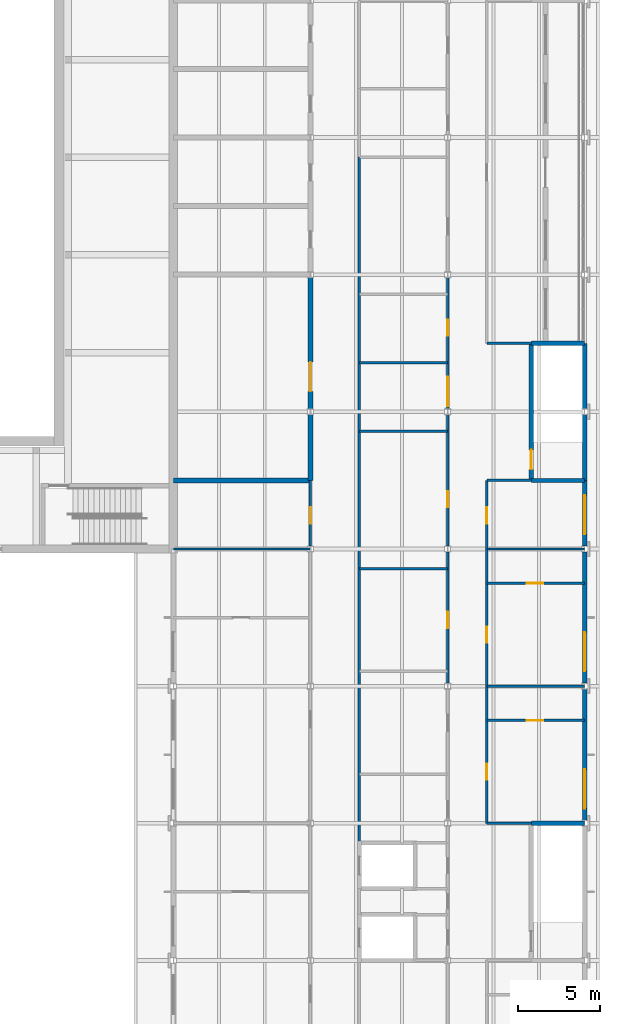
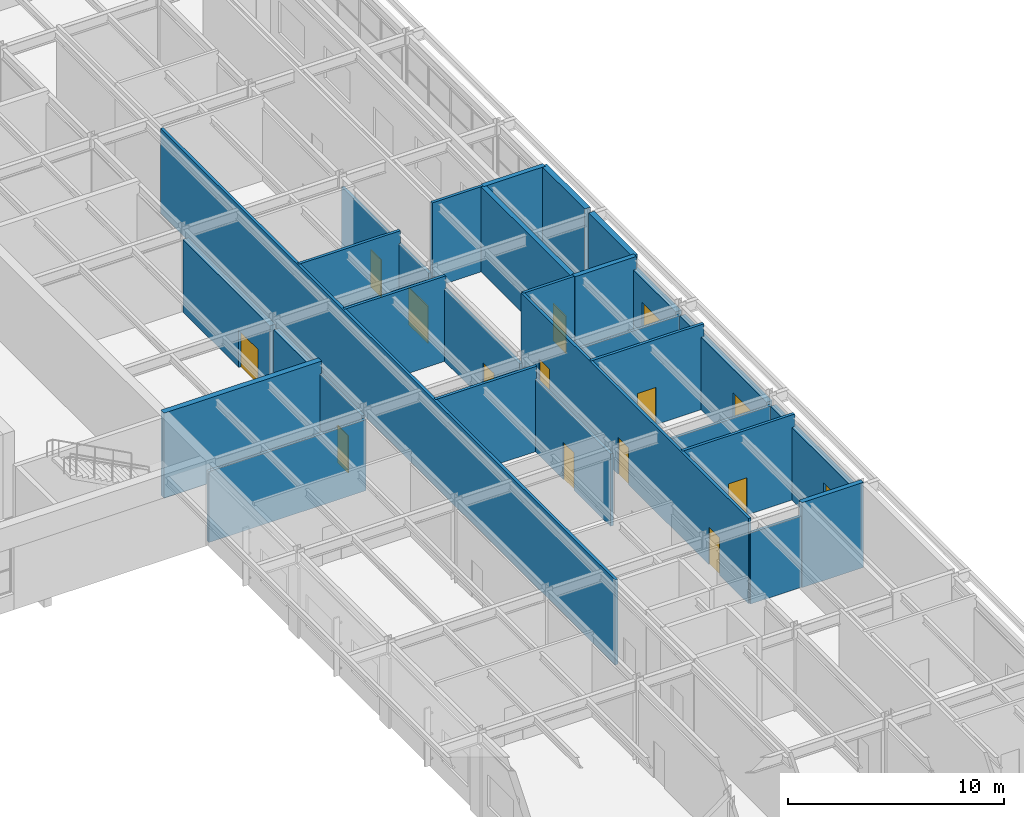
# One storey, part 74 of 116: 29 walls, 12 doors, 3 windows, 15 openings.
"""IFC4 building model written with IfcOpenShell, lengths in metres."""

from ifc_helpers import new_model, si_unit, direction, frame, frame_2d, origin, place, context, subcontext, project, spatial, rectangle, extrude, material, layer, layer_set, type_object, element, fill, save


model = new_model("IFC4")

# Units and contexts
model_context = context("Model", 3, precision=1e-05, world=origin(), true_north=direction((0.0, 1.0)))
body_context = subcontext(model_context, "Body", "Model", "MODEL_VIEW")
ifc_project = project(units=[si_unit("LENGTHUNIT", "METRE"), si_unit("AREAUNIT", "SQUARE_METRE"), si_unit("VOLUMEUNIT", "CUBIC_METRE"), si_unit("PLANEANGLEUNIT", "RADIAN"), si_unit("MASSUNIT", "GRAM", prefix="KILO")], contexts=[model_context])

# Site, building, storey
site_placement = place(None, origin())
site = spatial("IfcSite", under=ifc_project, at=site_placement, CompositionType="ELEMENT")
building_placement = place(site_placement, origin())
building = spatial("IfcBuilding", under=site, at=building_placement, Name="Ljudholm Concert House", CompositionType="ELEMENT")
storey_placement = place(building_placement, frame((0.0, 0.0, 10.199951171875)))
storey = spatial("IfcBuildingStorey", under=building, at=storey_placement, Name="L02", CompositionType="ELEMENT", Elevation=10.199951171875)

# Wall
ifc_material_1 = material(Name="Double gypsum board on staggered studs")
ifc_layer_1 = layer(ifc_material_1, 0.300048828125)
ifc_layer_set_1 = layer_set([ifc_layer_1], Name="Double gypsum board on staggered studs")
wall_type_1 = type_object("IfcWallType", Name="ACOUSTIC PARTITION 300", PredefinedType="PARTITIONING", material=ifc_layer_set_1)
wall_1_placement = place(storey_placement, frame((104.800048828125, 58.60009765625, 0.0), z_axis=(0.0, 0.0, 1.0), x_axis=(0.0, 1.0, 0.0)))
element("IfcWall", 1, at=wall_1_placement, inside=storey, type_object=wall_type_1, Name="Acoustic partition", PredefinedType="PARTITIONING", context=body_context, shape_type="SweptSolid", body=[
    extrude(rectangle(XDim=4.022216796875, YDim=0.300048828125, at=frame_2d((2.01123046875, 0.0))), origin(), (0.0, 0.0, 1.0), 4.086669921875),
])

# Wall, opening, door
wall_2_placement = place(storey_placement, frame((104.800048828125, 62.977783203125, 0.0), z_axis=(0.0, 0.0, 1.0), x_axis=(0.0, 1.0, 0.0)))
wall_2 = element("IfcWall", 2, at=wall_2_placement, inside=storey, type_object=wall_type_1, Name="Acoustic partition", PredefinedType="PARTITIONING", context=body_context, shape_type="SweptSolid", body=[
    extrude(rectangle(XDim=8.04443359375, YDim=0.300048828125, at=frame_2d((4.022216796875, 0.0))), origin(), (0.0, 0.0, 1.0), 4.086669921875),
])
opening_1_placement = place(wall_2_placement, frame((1.072265625, 0.0, 0.0)))
opening_1 = element("IfcOpeningElement", 3, at=opening_1_placement, cuts=wall_2, Name="Opening D-W02-016", PredefinedType="OPENING", context=body_context, shape_type="SweptSolid", body=[
    extrude(rectangle(XDim=1.800048828125, YDim=2.10009765625, at=frame_2d((0.89990234375, 1.050048828125))), frame((0.0, 0.159912109375, 0.0), z_axis=(0.0, -1.0, 0.0), x_axis=(1.0, 0.0, 0.0)), (0.0, 0.0, 1.0), 0.320068359375),
])
ifc_material_2 = material(Name="Hollow metal door in steel frame", Category="steel")
door_type_1 = type_object("IfcDoorType", Name="DOUBLE DOOR 1800x2100", OperationType="DOUBLE_DOOR_SINGLE_SWING", PredefinedType="DOOR", material=ifc_material_2)
door_1_placement = place(opening_1_placement, origin())
door_1 = element("IfcDoor", 4, at=door_1_placement, inside=storey, type_object=door_type_1, Name="Door", OperationType="DOUBLE_DOOR_SINGLE_SWING", OverallHeight=2.10009765625, OverallWidth=1.800048828125, PredefinedType="DOOR", context=body_context, shape_type="SweptSolid", body=[
    extrude(rectangle(XDim=1.800048828125, YDim=2.10009765625, at=frame_2d((0.89990234375, 1.050048828125))), frame((0.0, 0.02490234375, 0.0), z_axis=(0.0, -1.0, 0.0), x_axis=(1.0, 0.0, 0.0)), (0.0, 0.0, 1.0), 0.050048828125),
])
fill(opening_1, door_1)

# Wall
wall_3_placement = place(storey_placement, frame((96.39990234375, 58.60009765625, 0.0), z_axis=(0.0, 0.0, 1.0), x_axis=(1.0, 0.0, 0.0)))
element("IfcWall", 5, at=wall_3_placement, inside=storey, type_object=wall_type_1, Name="Acoustic partition", PredefinedType="PARTITIONING", context=body_context, shape_type="SweptSolid", body=[
    extrude(rectangle(XDim=8.400146484375, YDim=0.300048828125, at=frame_2d((4.2001953125, 0.0))), origin(), (0.0, 0.0, 1.0), 4.800048828125),
])

# Wall, opening, door
ifc_material_3 = material(Name="Gypsum board on steel studs", Category="steel")
ifc_layer_2 = layer(ifc_material_3, 0.14990234375)
ifc_layer_set_2 = layer_set([ifc_layer_2], Name="Gypsum board on steel studs")
wall_type_2 = type_object("IfcWallType", Name="GYPSUM PARTITION 150", PredefinedType="PARTITIONING", material=ifc_layer_set_2)
wall_4_placement = place(storey_placement, frame((104.800048828125, 54.577880859375, 0.0), z_axis=(0.0, 0.0, 1.0), x_axis=(0.0, 1.0, 0.0)))
wall_4 = element("IfcWall", 6, at=wall_4_placement, inside=storey, type_object=wall_type_2, Name="Partition", PredefinedType="PARTITIONING", context=body_context, shape_type="SweptSolid", body=[
    extrude(rectangle(XDim=4.022216796875, YDim=0.14990234375, at=frame_2d((2.01123046875, 0.0))), origin(), (0.0, 0.0, 1.0), 4.086669921875),
])
opening_2_placement = place(wall_4_placement, frame((1.372314453125, 0.0, 0.0)))
opening_2 = element("IfcOpeningElement", 7, at=opening_2_placement, cuts=wall_4, Name="Opening D-W02-015", PredefinedType="OPENING", context=body_context, shape_type="SweptSolid", body=[
    extrude(rectangle(XDim=1.0, YDim=2.10009765625, at=frame_2d((0.5, 1.050048828125))), frame((0.0, 0.0849609375, 0.0), z_axis=(0.0, -1.0, 0.0), x_axis=(1.0, 0.0, 0.0)), (0.0, 0.0, 1.0), 0.169921875),
])
ifc_material_4 = material(Name="Hollow metal door in steel frame", Category="steel")
door_type_2 = type_object("IfcDoorType", Name="SWING DOOR 1000x2100", OperationType="SINGLE_SWING_LEFT", PredefinedType="DOOR", material=ifc_material_4)
door_2_placement = place(opening_2_placement, origin())
door_2 = element("IfcDoor", 8, at=door_2_placement, inside=storey, type_object=door_type_2, Name="Door", OperationType="SINGLE_SWING_LEFT", OverallHeight=2.10009765625, OverallWidth=1.0, PredefinedType="DOOR", context=body_context, shape_type="SweptSolid", body=[
    extrude(rectangle(XDim=1.0, YDim=2.10009765625, at=frame_2d((0.5, 1.050048828125))), frame((0.0, 0.02490234375, 0.0), z_axis=(0.0, -1.0, 0.0), x_axis=(1.0, 0.0, 0.0)), (0.0, 0.0, 1.0), 0.050048828125),
])
fill(opening_2, door_2)

# Wall
wall_5_placement = place(storey_placement, frame((107.800048828125, 36.39990234375, 0.0), z_axis=(0.0, 0.0, 1.0), x_axis=(0.0, 1.0, 0.0)))
element("IfcWall", 9, at=wall_5_placement, inside=storey, type_object=wall_type_2, Name="Partition", PredefinedType="PARTITIONING", context=body_context, shape_type="SweptSolid", body=[
    extrude(rectangle(XDim=42.0, YDim=0.14990234375, at=frame_2d((21.0, 0.0))), origin(), (0.0, 0.0, 1.0), 4.800048828125),
])

# Wall, opening, door
wall_6_placement = place(storey_placement, frame((113.199951171875, 46.177734375, 0.0), z_axis=(0.0, 0.0, 1.0), x_axis=(0.0, 1.0, 0.0)))
wall_6 = element("IfcWall", 10, at=wall_6_placement, inside=storey, type_object=wall_type_2, Name="Partition", PredefinedType="PARTITIONING", context=body_context, shape_type="SweptSolid", body=[
    extrude(rectangle(XDim=8.04443359375, YDim=0.14990234375, at=frame_2d((4.022216796875, 0.0))), origin(), (0.0, 0.0, 1.0), 4.086669921875),
])
opening_3_placement = place(wall_6_placement, frame((3.372314453125, 0.0, 0.0)))
opening_3 = element("IfcOpeningElement", 11, at=opening_3_placement, cuts=wall_6, Name="Opening D-W02-027", PredefinedType="OPENING", context=body_context, shape_type="SweptSolid", body=[
    extrude(rectangle(XDim=1.0, YDim=2.10009765625, at=frame_2d((0.5, 1.050048828125))), frame((0.0, 0.0849609375, 0.0), z_axis=(0.0, -1.0, 0.0), x_axis=(1.0, 0.0, 0.0)), (0.0, 0.0, 1.0), 0.169921875),
])
door_3_placement = place(opening_3_placement, origin())
door_3 = element("IfcDoor", 12, at=door_3_placement, inside=storey, type_object=door_type_2, Name="Door", OperationType="SINGLE_SWING_RIGHT", OverallHeight=2.10009765625, OverallWidth=1.0, PredefinedType="DOOR", context=body_context, shape_type="SweptSolid", body=[
    extrude(rectangle(XDim=1.0, YDim=2.10009765625, at=frame_2d((0.5, 1.050048828125))), frame((0.0, 0.02490234375, 0.0), z_axis=(0.0, -1.0, 0.0), x_axis=(1.0, 0.0, 0.0)), (0.0, 0.0, 1.0), 0.050048828125),
])
fill(opening_3, door_3)

wall_7_placement = place(storey_placement, frame((113.199951171875, 54.577880859375, 0.0), z_axis=(0.0, 0.0, 1.0), x_axis=(0.0, 1.0, 0.0)))
wall_7 = element("IfcWall", 13, at=wall_7_placement, inside=storey, type_object=wall_type_2, Name="Partition", PredefinedType="PARTITIONING", context=body_context, shape_type="SweptSolid", body=[
    extrude(rectangle(XDim=8.04443359375, YDim=0.14990234375, at=frame_2d((4.022216796875, 0.0))), origin(), (0.0, 0.0, 1.0), 4.086669921875),
])
opening_4_placement = place(wall_7_placement, frame((2.372314453125, 0.0, 0.0)))
opening_4 = element("IfcOpeningElement", 14, at=opening_4_placement, cuts=wall_7, Name="Opening D-W02-028", PredefinedType="OPENING", context=body_context, shape_type="SweptSolid", body=[
    extrude(rectangle(XDim=1.0, YDim=2.10009765625, at=frame_2d((0.5, 1.050048828125))), frame((0.0, 0.0849609375, 0.0), z_axis=(0.0, -1.0, 0.0), x_axis=(1.0, 0.0, 0.0)), (0.0, 0.0, 1.0), 0.169921875),
])
door_4_placement = place(opening_4_placement, origin())
door_4 = element("IfcDoor", 15, at=door_4_placement, inside=storey, type_object=door_type_2, Name="Door", OperationType="SINGLE_SWING_RIGHT", OverallHeight=2.10009765625, OverallWidth=1.0, PredefinedType="DOOR", context=body_context, shape_type="SweptSolid", body=[
    extrude(rectangle(XDim=1.0, YDim=2.10009765625, at=frame_2d((0.5, 1.050048828125))), frame((0.0, 0.02490234375, 0.0), z_axis=(0.0, -1.0, 0.0), x_axis=(1.0, 0.0, 0.0)), (0.0, 0.0, 1.0), 0.050048828125),
])
fill(opening_4, door_4)

# Wall, openings, doors
wall_8_placement = place(storey_placement, frame((113.199951171875, 62.977783203125, 0.0), z_axis=(0.0, 0.0, 1.0), x_axis=(0.0, 1.0, 0.0)))
wall_8 = element("IfcWall", 16, at=wall_8_placement, inside=storey, type_object=wall_type_2, Name="Partition", PredefinedType="PARTITIONING", context=body_context, shape_type="SweptSolid", body=[
    extrude(rectangle(XDim=8.04443359375, YDim=0.14990234375, at=frame_2d((4.022216796875, 0.0))), origin(), (0.0, 0.0, 1.0), 4.086669921875),
])
opening_5_placement = place(wall_8_placement, frame((0.172119140625, 0.0, 0.0)))
opening_5 = element("IfcOpeningElement", 17, at=opening_5_placement, cuts=wall_8, Name="Opening D-W02-029", PredefinedType="OPENING", context=body_context, shape_type="SweptSolid", body=[
    extrude(rectangle(XDim=1.800048828125, YDim=2.10009765625, at=frame_2d((0.89990234375, 1.050048828125))), frame((0.0, 0.0849609375, 0.0), z_axis=(0.0, -1.0, 0.0), x_axis=(1.0, 0.0, 0.0)), (0.0, 0.0, 1.0), 0.169921875),
])
opening_6_placement = place(wall_8_placement, frame((4.47216796875, 0.0, 0.0)))
opening_6 = element("IfcOpeningElement", 18, at=opening_6_placement, cuts=wall_8, Name="Opening D-W02-030", PredefinedType="OPENING", context=body_context, shape_type="SweptSolid", body=[
    extrude(rectangle(XDim=1.0, YDim=2.10009765625, at=frame_2d((0.5, 1.050048828125))), frame((0.0, 0.0849609375, 0.0), z_axis=(0.0, -1.0, 0.0), x_axis=(1.0, 0.0, 0.0)), (0.0, 0.0, 1.0), 0.169921875),
])
door_5_placement = place(opening_5_placement, origin())
door_5 = element("IfcDoor", 19, at=door_5_placement, inside=storey, type_object=door_type_1, Name="Door", OperationType="DOUBLE_DOOR_SINGLE_SWING", OverallHeight=2.10009765625, OverallWidth=1.800048828125, PredefinedType="DOOR", context=body_context, shape_type="SweptSolid", body=[
    extrude(rectangle(XDim=1.800048828125, YDim=2.10009765625, at=frame_2d((0.89990234375, 1.050048828125))), frame((0.0, 0.02490234375, 0.0), z_axis=(0.0, -1.0, 0.0), x_axis=(1.0, 0.0, 0.0)), (0.0, 0.0, 1.0), 0.050048828125),
])
fill(opening_5, door_5)
door_6_placement = place(opening_6_placement, origin())
door_6 = element("IfcDoor", 20, at=door_6_placement, inside=storey, type_object=door_type_2, Name="Door", OperationType="SINGLE_SWING_LEFT", OverallHeight=2.10009765625, OverallWidth=1.0, PredefinedType="DOOR", context=body_context, shape_type="SweptSolid", body=[
    extrude(rectangle(XDim=1.0, YDim=2.10009765625, at=frame_2d((0.5, 1.050048828125))), frame((0.0, 0.02490234375, 0.0), z_axis=(0.0, -1.0, 0.0), x_axis=(1.0, 0.0, 0.0)), (0.0, 0.0, 1.0), 0.050048828125),
])
fill(opening_6, door_6)

wall_9_placement = place(storey_placement, frame((115.60009765625, 37.60009765625, 0.0), z_axis=(0.0, 0.0, 1.0), x_axis=(0.0, 1.0, 0.0)))
wall_9 = element("IfcWall", 21, at=wall_9_placement, inside=storey, type_object=wall_type_2, Name="Partition", PredefinedType="PARTITIONING", context=body_context, shape_type="SweptSolid", body=[
    extrude(rectangle(XDim=21.0, YDim=0.14990234375, at=frame_2d((10.5, 0.0))), origin(), (0.0, 0.0, 1.0), 4.800048828125),
])
opening_7_placement = place(wall_9_placement, frame((2.64990234375, 0.0, 0.0)))
opening_7 = element("IfcOpeningElement", 22, at=opening_7_placement, cuts=wall_9, Name="Opening D-W02-038", PredefinedType="OPENING", context=body_context, shape_type="SweptSolid", body=[
    extrude(rectangle(XDim=1.0, YDim=2.10009765625, at=frame_2d((0.5, 1.050048828125))), frame((0.0, 0.0849609375, 0.0), z_axis=(0.0, -1.0, 0.0), x_axis=(1.0, 0.0, 0.0)), (0.0, 0.0, 1.0), 0.169921875),
])
opening_8_placement = place(wall_9_placement, frame((11.050048828125, 0.0, 0.0)))
opening_8 = element("IfcOpeningElement", 23, at=opening_8_placement, cuts=wall_9, Name="Opening D-W02-040", PredefinedType="OPENING", context=body_context, shape_type="SweptSolid", body=[
    extrude(rectangle(XDim=1.0, YDim=2.10009765625, at=frame_2d((0.5, 1.050048828125))), frame((0.0, 0.0849609375, 0.0), z_axis=(0.0, -1.0, 0.0), x_axis=(1.0, 0.0, 0.0)), (0.0, 0.0, 1.0), 0.169921875),
])
opening_9_placement = place(wall_9_placement, frame((18.35009765625, 0.0, 0.0)))
opening_9 = element("IfcOpeningElement", 24, at=opening_9_placement, cuts=wall_9, Name="Opening D-W02-042", PredefinedType="OPENING", context=body_context, shape_type="SweptSolid", body=[
    extrude(rectangle(XDim=1.0, YDim=2.10009765625, at=frame_2d((0.5, 1.050048828125))), frame((0.0, 0.0849609375, 0.0), z_axis=(0.0, -1.0, 0.0), x_axis=(1.0, 0.0, 0.0)), (0.0, 0.0, 1.0), 0.169921875),
])
door_7_placement = place(opening_7_placement, frame((1.0, 0.0, 0.0), z_axis=(0.0, 0.0, 1.0), x_axis=(-1.0, 0.0, 0.0)))
door_7 = element("IfcDoor", 25, at=door_7_placement, inside=storey, type_object=door_type_2, Name="Door", OperationType="SINGLE_SWING_LEFT", OverallHeight=2.10009765625, OverallWidth=1.0, PredefinedType="DOOR", context=body_context, shape_type="SweptSolid", body=[
    extrude(rectangle(XDim=1.0, YDim=2.10009765625, at=frame_2d((0.5, 1.050048828125))), frame((0.0, 0.02490234375, 0.0), z_axis=(0.0, -1.0, 0.0), x_axis=(1.0, 0.0, 0.0)), (0.0, 0.0, 1.0), 0.050048828125),
])
fill(opening_7, door_7)
door_8_placement = place(opening_8_placement, frame((1.0, 0.0, 0.0), z_axis=(0.0, 0.0, 1.0), x_axis=(-1.0, 0.0, 0.0)))
door_8 = element("IfcDoor", 26, at=door_8_placement, inside=storey, type_object=door_type_2, Name="Door", OperationType="SINGLE_SWING_RIGHT", OverallHeight=2.10009765625, OverallWidth=1.0, PredefinedType="DOOR", context=body_context, shape_type="SweptSolid", body=[
    extrude(rectangle(XDim=1.0, YDim=2.10009765625, at=frame_2d((0.5, 1.050048828125))), frame((0.0, 0.02490234375, 0.0), z_axis=(0.0, -1.0, 0.0), x_axis=(1.0, 0.0, 0.0)), (0.0, 0.0, 1.0), 0.050048828125),
])
fill(opening_8, door_8)
door_9_placement = place(opening_9_placement, frame((1.0, 0.0, 0.0), z_axis=(0.0, 0.0, 1.0), x_axis=(-1.0, 0.0, 0.0)))
door_9 = element("IfcDoor", 27, at=door_9_placement, inside=storey, type_object=door_type_2, Name="Door", OperationType="SINGLE_SWING_RIGHT", OverallHeight=2.10009765625, OverallWidth=1.0, PredefinedType="DOOR", context=body_context, shape_type="SweptSolid", body=[
    extrude(rectangle(XDim=1.0, YDim=2.10009765625, at=frame_2d((0.5, 1.050048828125))), frame((0.0, 0.02490234375, 0.0), z_axis=(0.0, -1.0, 0.0), x_axis=(1.0, 0.0, 0.0)), (0.0, 0.0, 1.0), 0.050048828125),
])
fill(opening_9, door_9)

# Wall
wall_10_placement = place(storey_placement, frame((115.60009765625, 37.60009765625, 0.0), z_axis=(0.0, 0.0, 1.0), x_axis=(1.0, 0.0, 0.0)))
element("IfcWall", 28, at=wall_10_placement, inside=storey, type_object=wall_type_2, Name="Partition", PredefinedType="PARTITIONING", context=body_context, shape_type="SweptSolid", body=[
    extrude(rectangle(XDim=2.724853515625, YDim=0.14990234375, at=frame_2d((1.3623046875, 0.0))), origin(), (0.0, 0.0, 1.0), 4.008056640625),
])

# Wall, opening, door
wall_11_placement = place(storey_placement, frame((115.60009765625, 43.89990234375, 0.0), z_axis=(0.0, 0.0, 1.0), x_axis=(1.0, 0.0, 0.0)))
wall_11 = element("IfcWall", 29, at=wall_11_placement, inside=storey, type_object=wall_type_2, Name="Partition", PredefinedType="PARTITIONING", context=body_context, shape_type="SweptSolid", body=[
    extrude(rectangle(XDim=6.0, YDim=0.14990234375, at=frame_2d((3.0, 0.0))), origin(), (0.0, 0.0, 1.0), 4.800048828125),
])
opening_10_placement = place(wall_11_placement, frame((2.449951171875, 0.0, 0.0)))
opening_10 = element("IfcOpeningElement", 30, at=opening_10_placement, cuts=wall_11, Name="Opening D-W02-039", PredefinedType="OPENING", context=body_context, shape_type="SweptSolid", body=[
    extrude(rectangle(XDim=1.0, YDim=2.10009765625, at=frame_2d((0.5, 1.050048828125))), frame((0.0, 0.0849609375, 0.0), z_axis=(0.0, -1.0, 0.0), x_axis=(1.0, 0.0, 0.0)), (0.0, 0.0, 1.0), 0.169921875),
])
door_10_placement = place(opening_10_placement, origin())
door_10 = element("IfcDoor", 31, at=door_10_placement, inside=storey, type_object=door_type_2, Name="Door", OperationType="SINGLE_SWING_RIGHT", OverallHeight=2.10009765625, OverallWidth=1.0, PredefinedType="DOOR", context=body_context, shape_type="SweptSolid", body=[
    extrude(rectangle(XDim=1.0, YDim=2.10009765625, at=frame_2d((0.5, 1.050048828125))), frame((0.0, 0.02490234375, 0.0), z_axis=(0.0, -1.0, 0.0), x_axis=(1.0, 0.0, 0.0)), (0.0, 0.0, 1.0), 0.050048828125),
])
fill(opening_10, door_10)

# Wall
wall_12_placement = place(storey_placement, frame((115.60009765625, 46.0, 0.0), z_axis=(0.0, 0.0, 1.0), x_axis=(1.0, 0.0, 0.0)))
element("IfcWall", 32, at=wall_12_placement, inside=storey, type_object=wall_type_2, Name="Partition", PredefinedType="PARTITIONING", context=body_context, shape_type="SweptSolid", body=[
    extrude(rectangle(XDim=5.994384765625, YDim=0.14990234375, at=frame_2d((2.9970703125, 0.0))), origin(), (0.0, 0.0, 1.0), 4.008056640625),
])

# Wall, opening, door
wall_13_placement = place(storey_placement, frame((115.60009765625, 52.300048828125, 0.0), z_axis=(0.0, 0.0, 1.0), x_axis=(1.0, 0.0, 0.0)))
wall_13 = element("IfcWall", 33, at=wall_13_placement, inside=storey, type_object=wall_type_2, Name="Partition", PredefinedType="PARTITIONING", context=body_context, shape_type="SweptSolid", body=[
    extrude(rectangle(XDim=6.0, YDim=0.14990234375, at=frame_2d((3.0, 0.0))), origin(), (0.0, 0.0, 1.0), 4.800048828125),
])
opening_11_placement = place(wall_13_placement, frame((2.449951171875, 0.0, 0.0)))
opening_11 = element("IfcOpeningElement", 34, at=opening_11_placement, cuts=wall_13, Name="Opening D-W02-041", PredefinedType="OPENING", context=body_context, shape_type="SweptSolid", body=[
    extrude(rectangle(XDim=1.0, YDim=2.10009765625, at=frame_2d((0.5, 1.050048828125))), frame((0.0, 0.0849609375, 0.0), z_axis=(0.0, -1.0, 0.0), x_axis=(1.0, 0.0, 0.0)), (0.0, 0.0, 1.0), 0.169921875),
])
door_11_placement = place(opening_11_placement, origin())
door_11 = element("IfcDoor", 35, at=door_11_placement, inside=storey, type_object=door_type_2, Name="Door", OperationType="SINGLE_SWING_RIGHT", OverallHeight=2.10009765625, OverallWidth=1.0, PredefinedType="DOOR", context=body_context, shape_type="SweptSolid", body=[
    extrude(rectangle(XDim=1.0, YDim=2.10009765625, at=frame_2d((0.5, 1.050048828125))), frame((0.0, 0.02490234375, 0.0), z_axis=(0.0, -1.0, 0.0), x_axis=(1.0, 0.0, 0.0)), (0.0, 0.0, 1.0), 0.050048828125),
])
fill(opening_11, door_11)

# Walls
wall_14_placement = place(storey_placement, frame((107.800048828125, 53.199951171875, 0.0), z_axis=(0.0, 0.0, 1.0), x_axis=(1.0, 0.0, 0.0)))
element("IfcWall", 36, at=wall_14_placement, inside=storey, type_object=wall_type_2, Name="Partition", PredefinedType="PARTITIONING", context=body_context, shape_type="SweptSolid", body=[
    extrude(rectangle(XDim=5.39990234375, YDim=0.14990234375, at=frame_2d((2.699951171875, 0.0))), origin(), (0.0, 0.0, 1.0), 4.800048828125),
])
wall_15_placement = place(storey_placement, frame((96.39990234375, 54.39990234375, 0.0), z_axis=(0.0, 0.0, 1.0), x_axis=(1.0, 0.0, 0.0)))
element("IfcWall", 37, at=wall_15_placement, inside=storey, type_object=wall_type_2, Name="Partition", PredefinedType="PARTITIONING", context=body_context, shape_type="SweptSolid", body=[
    extrude(rectangle(XDim=8.39453125, YDim=0.14990234375, at=frame_2d((4.197265625, 0.0))), origin(), (0.0, 0.0, 1.0), 4.008056640625),
])
wall_16_placement = place(storey_placement, frame((115.60009765625, 54.39990234375, 0.0), z_axis=(0.0, 0.0, 1.0), x_axis=(1.0, 0.0, 0.0)))
element("IfcWall", 38, at=wall_16_placement, inside=storey, type_object=wall_type_2, Name="Partition", PredefinedType="PARTITIONING", context=body_context, shape_type="SweptSolid", body=[
    extrude(rectangle(XDim=5.994384765625, YDim=0.14990234375, at=frame_2d((2.9970703125, 0.0))), origin(), (0.0, 0.0, 1.0), 4.008056640625),
])
wall_17_placement = place(storey_placement, frame((115.60009765625, 58.60009765625, 0.0), z_axis=(0.0, 0.0, 1.0), x_axis=(1.0, 0.0, 0.0)))
element("IfcWall", 39, at=wall_17_placement, inside=storey, type_object=wall_type_2, Name="Partition", PredefinedType="PARTITIONING", context=body_context, shape_type="SweptSolid", body=[
    extrude(rectangle(XDim=2.724853515625, YDim=0.14990234375, at=frame_2d((1.3623046875, 0.0))), origin(), (0.0, 0.0, 1.0), 4.800048828125),
])
for number, where, z_axis, x_axis, name in (
    (40, (107.800048828125, 61.60009765625, 0.0), (0.0, 0.0, 1.0), (1.0, 0.0, 0.0), "Partition"),
    (41, (107.800048828125, 65.800048828125, 0.0), (0.0, 0.0, 1.0), (1.0, 0.0, 0.0), "Partition"),
):
    element("IfcWall", number, at=place(storey_placement, frame(where, z_axis=z_axis, x_axis=x_axis)), inside=storey, type_object=wall_type_2, Name=name, PredefinedType="PARTITIONING", context=body_context, shape_type="SweptSolid", body=[
        extrude(rectangle(XDim=5.39990234375, YDim=0.14990234375, at=frame_2d((2.699951171875, 0.0))), origin(), (0.0, 0.0, 1.0), 4.800048828125),
    ])
wall_18_placement = place(storey_placement, frame((115.60009765625, 67.0, 0.0), z_axis=(0.0, 0.0, 1.0), x_axis=(1.0, 0.0, 0.0)))
element("IfcWall", 42, at=wall_18_placement, inside=storey, type_object=wall_type_2, Name="Partition", PredefinedType="PARTITIONING", context=body_context, shape_type="SweptSolid", body=[
    extrude(rectangle(XDim=2.724853515625, YDim=0.14990234375, at=frame_2d((1.3623046875, 0.0))), origin(), (0.0, 0.0, 1.0), 4.800048828125),
])

# Wall, opening, window
ifc_material_5 = material(Name="Precast concrete 5,000 psi", Category="concrete")
ifc_layer_3 = layer(ifc_material_5, 0.300048828125)
ifc_layer_set_3 = layer_set([ifc_layer_3], Name="Precast concrete 5,000 psi")
wall_type_3 = type_object("IfcWallType", Name="PRECAST PANEL WALL 300", PredefinedType="SOLIDWALL", material=ifc_layer_set_3)
wall_19_placement = place(storey_placement, frame((121.60009765625, 37.77783203125, 0.0), z_axis=(0.0, 0.0, 1.0), x_axis=(0.0, 1.0, 0.0)))
wall_19 = element("IfcWall", 43, at=wall_19_placement, inside=storey, type_object=wall_type_3, Name="Facade wall", PredefinedType="SOLIDWALL", context=body_context, shape_type="SweptSolid", body=[
    extrude(rectangle(XDim=8.04443359375, YDim=0.300048828125, at=frame_2d((4.022216796875, 0.0))), origin(), (0.0, 0.0, 1.0), 4.086669921875),
])
opening_12_placement = place(wall_19_placement, frame((0.72216796875, 0.0, 0.949951171875)))
opening_12 = element("IfcOpeningElement", 44, at=opening_12_placement, cuts=wall_19, Name="Opening X-W02-010", PredefinedType="OPENING", context=body_context, shape_type="SweptSolid", body=[
    extrude(rectangle(XDim=2.39990234375, YDim=1.800048828125, at=frame_2d((1.199951171875, 0.89990234375))), frame((0.0, 0.159912109375, 0.0), z_axis=(0.0, -1.0, 0.0), x_axis=(1.0, 0.0, 0.0)), (0.0, 0.0, 1.0), 0.320068359375),
])
ifc_material_6 = material(Name="Aluminium frame, impact glazing", Category="aluminium")
window_type = type_object("IfcWindowType", Name="CASEMENT WINDOW 2400x1800", PartitioningType="DOUBLE_PANEL_VERTICAL", PredefinedType="WINDOW", material=ifc_material_6)
window_1_placement = place(opening_12_placement, origin())
window_1 = element("IfcWindow", 45, at=window_1_placement, inside=storey, type_object=window_type, Name="Window", OverallHeight=1.800048828125, OverallWidth=2.39990234375, PartitioningType="DOUBLE_PANEL_VERTICAL", PredefinedType="WINDOW", context=body_context, shape_type="SweptSolid", body=[
    extrude(rectangle(XDim=2.39990234375, YDim=1.800048828125, at=frame_2d((1.199951171875, 0.89990234375))), frame((0.0, 0.030029296875, 0.0), z_axis=(0.0, -1.0, 0.0), x_axis=(1.0, 0.0, 0.0)), (0.0, 0.0, 1.0), 0.06005859375),
])
fill(opening_12, window_1)

wall_20_placement = place(storey_placement, frame((121.60009765625, 46.177734375, 0.0), z_axis=(0.0, 0.0, 1.0), x_axis=(0.0, 1.0, 0.0)))
wall_20 = element("IfcWall", 46, at=wall_20_placement, inside=storey, type_object=wall_type_3, Name="Facade wall", PredefinedType="SOLIDWALL", context=body_context, shape_type="SweptSolid", body=[
    extrude(rectangle(XDim=8.04443359375, YDim=0.300048828125, at=frame_2d((4.022216796875, 0.0))), origin(), (0.0, 0.0, 1.0), 4.086669921875),
])
opening_13_placement = place(wall_20_placement, frame((0.72216796875, 0.0, 0.949951171875)))
opening_13 = element("IfcOpeningElement", 47, at=opening_13_placement, cuts=wall_20, Name="Opening X-W02-011", PredefinedType="OPENING", context=body_context, shape_type="SweptSolid", body=[
    extrude(rectangle(XDim=2.39990234375, YDim=1.800048828125, at=frame_2d((1.199951171875, 0.89990234375))), frame((0.0, 0.159912109375, 0.0), z_axis=(0.0, -1.0, 0.0), x_axis=(1.0, 0.0, 0.0)), (0.0, 0.0, 1.0), 0.320068359375),
])
window_2_placement = place(opening_13_placement, origin())
window_2 = element("IfcWindow", 48, at=window_2_placement, inside=storey, type_object=window_type, Name="Window", OverallHeight=1.800048828125, OverallWidth=2.39990234375, PartitioningType="DOUBLE_PANEL_VERTICAL", PredefinedType="WINDOW", context=body_context, shape_type="SweptSolid", body=[
    extrude(rectangle(XDim=2.39990234375, YDim=1.800048828125, at=frame_2d((1.199951171875, 0.89990234375))), frame((0.0, 0.030029296875, 0.0), z_axis=(0.0, -1.0, 0.0), x_axis=(1.0, 0.0, 0.0)), (0.0, 0.0, 1.0), 0.06005859375),
])
fill(opening_13, window_2)

wall_21_placement = place(storey_placement, frame((121.60009765625, 54.577880859375, 0.0), z_axis=(0.0, 0.0, 1.0), x_axis=(0.0, 1.0, 0.0)))
wall_21 = element("IfcWall", 49, at=wall_21_placement, inside=storey, type_object=wall_type_3, Name="Facade wall", PredefinedType="SOLIDWALL", context=body_context, shape_type="SweptSolid", body=[
    extrude(rectangle(XDim=4.022216796875, YDim=0.300048828125, at=frame_2d((2.01123046875, 0.0))), origin(), (0.0, 0.0, 1.0), 4.086669921875),
])
opening_14_placement = place(wall_21_placement, frame((0.72216796875, 0.0, 0.949951171875)))
opening_14 = element("IfcOpeningElement", 50, at=opening_14_placement, cuts=wall_21, Name="Opening X-W02-012", PredefinedType="OPENING", context=body_context, shape_type="SweptSolid", body=[
    extrude(rectangle(XDim=2.39990234375, YDim=1.800048828125, at=frame_2d((1.199951171875, 0.89990234375))), frame((0.0, 0.159912109375, 0.0), z_axis=(0.0, -1.0, 0.0), x_axis=(1.0, 0.0, 0.0)), (0.0, 0.0, 1.0), 0.320068359375),
])
window_3_placement = place(opening_14_placement, origin())
window_3 = element("IfcWindow", 51, at=window_3_placement, inside=storey, type_object=window_type, Name="Window", OverallHeight=1.800048828125, OverallWidth=2.39990234375, PartitioningType="DOUBLE_PANEL_VERTICAL", PredefinedType="WINDOW", context=body_context, shape_type="SweptSolid", body=[
    extrude(rectangle(XDim=2.39990234375, YDim=1.800048828125, at=frame_2d((1.199951171875, 0.89990234375))), frame((0.0, 0.030029296875, 0.0), z_axis=(0.0, -1.0, 0.0), x_axis=(1.0, 0.0, 0.0)), (0.0, 0.0, 1.0), 0.06005859375),
])
fill(opening_14, window_3)

# Wall, opening, door
ifc_material_7 = material(Name="Concrete 6,500 psi", Category="concrete")
ifc_layer_4 = layer(ifc_material_7, 0.25)
ifc_layer_set_4 = layer_set([ifc_layer_4], Name="Concrete 6,500 psi")
wall_type_4 = type_object("IfcWallType", Name="RC CORE WALL 250", PredefinedType="SHEAR", material=ifc_layer_set_4)
wall_22_placement = place(storey_placement, frame((118.324951171875, 58.60009765625, 0.0), z_axis=(0.0, 0.0, 1.0), x_axis=(0.0, 1.0, 0.0)))
wall_22 = element("IfcWall", 52, at=wall_22_placement, inside=storey, type_object=wall_type_4, Name="Stair core wall", PredefinedType="SHEAR", context=body_context, shape_type="SweptSolid", body=[
    extrude(rectangle(XDim=8.39990234375, YDim=0.25, at=frame_2d((4.199951171875, 0.0))), origin(), (0.0, 0.0, 1.0), 4.800048828125),
])
opening_15_placement = place(wall_22_placement, frame((0.675048828125, 0.0, 0.0)))
opening_15 = element("IfcOpeningElement", 53, at=opening_15_placement, cuts=wall_22, Name="Opening D-W02-005", PredefinedType="OPENING", context=body_context, shape_type="SweptSolid", body=[
    extrude(rectangle(XDim=1.199951171875, YDim=2.10009765625, at=frame_2d((0.60009765625, 1.050048828125))), frame((0.0, 0.135009765625, 0.0), z_axis=(0.0, -1.0, 0.0), x_axis=(1.0, 0.0, 0.0)), (0.0, 0.0, 1.0), 0.27001953125),
])
ifc_material_8 = material(Name="Hollow metal door in steel frame", Category="steel")
door_type_3 = type_object("IfcDoorType", Name="SWING DOOR 1200x2100", OperationType="SINGLE_SWING_LEFT", PredefinedType="DOOR", material=ifc_material_8)
door_12_placement = place(opening_15_placement, origin())
door_12 = element("IfcDoor", 54, at=door_12_placement, inside=storey, type_object=door_type_3, Name="Door", OperationType="SINGLE_SWING_LEFT", OverallHeight=2.10009765625, OverallWidth=1.199951171875, PredefinedType="DOOR", context=body_context, shape_type="SweptSolid", body=[
    extrude(rectangle(XDim=1.199951171875, YDim=2.10009765625, at=frame_2d((0.60009765625, 1.050048828125))), frame((0.0, 0.02490234375, 0.0), z_axis=(0.0, -1.0, 0.0), x_axis=(1.0, 0.0, 0.0)), (0.0, 0.0, 1.0), 0.050048828125),
])
fill(opening_15, door_12)

# Walls
wall_23_placement = place(storey_placement, frame((118.324951171875, 37.60009765625, 0.0), z_axis=(0.0, 0.0, 1.0), x_axis=(1.0, 0.0, 0.0)))
element("IfcWall", 55, at=wall_23_placement, inside=storey, type_object=wall_type_4, Name="Stair core wall", PredefinedType="SHEAR", context=body_context, shape_type="SweptSolid", body=[
    extrude(rectangle(XDim=3.26953125, YDim=0.25, at=frame_2d((1.634765625, 0.0))), origin(), (0.0, 0.0, 1.0), 4.800048828125),
])
for number, where, z_axis, x_axis, name in (
    (56, (118.324951171875, 58.60009765625, 0.0), (0.0, 0.0, 1.0), (1.0, 0.0, 0.0), "Stair core wall"),
    (57, (118.324951171875, 67.0, 0.0), (0.0, 0.0, 1.0), (1.0, 0.0, 0.0), "Stair core wall"),
):
    element("IfcWall", number, at=place(storey_placement, frame(where, z_axis=z_axis, x_axis=x_axis)), inside=storey, type_object=wall_type_4, Name=name, PredefinedType="SHEAR", context=body_context, shape_type="SweptSolid", body=[
        extrude(rectangle(XDim=3.275146484375, YDim=0.25, at=frame_2d((1.6376953125, 0.0))), origin(), (0.0, 0.0, 1.0), 4.800048828125),
    ])
ifc_material_9 = material(Name="Concrete 6,500 psi", Category="concrete")
ifc_layer_5 = layer(ifc_material_9, 0.300048828125)
ifc_layer_set_5 = layer_set([ifc_layer_5], Name="Concrete 6,500 psi")
wall_type_5 = type_object("IfcWallType", Name="RC CORE WALL 300", PredefinedType="SHEAR", material=ifc_layer_set_5)
for number, where, z_axis, x_axis, name in (
    (58, (121.60009765625, 58.60009765625, 0.0), (0.0, 0.0, 1.0), (0.0, 1.0, 0.0), "Stair core wall"),
    (59, (121.60009765625, 62.977783203125, 0.0), (0.0, 0.0, 1.0), (0.0, 1.0, 0.0), "Stair core wall"),
):
    element("IfcWall", number, at=place(storey_placement, frame(where, z_axis=z_axis, x_axis=x_axis)), inside=storey, type_object=wall_type_5, Name=name, PredefinedType="SHEAR", context=body_context, shape_type="SweptSolid", body=[
        extrude(rectangle(XDim=4.022216796875, YDim=0.300048828125, at=frame_2d((2.01123046875, 0.0))), origin(), (0.0, 0.0, 1.0), 4.800048828125),
    ])

save(model, "model.ifc")
